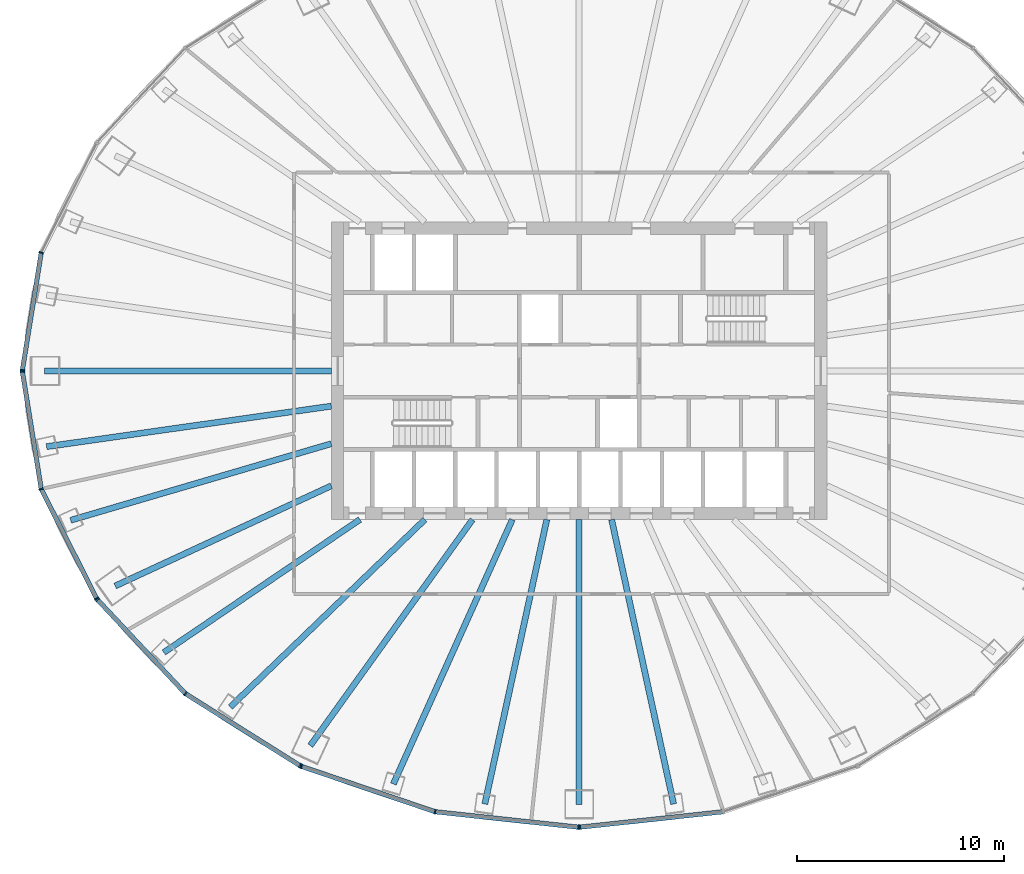
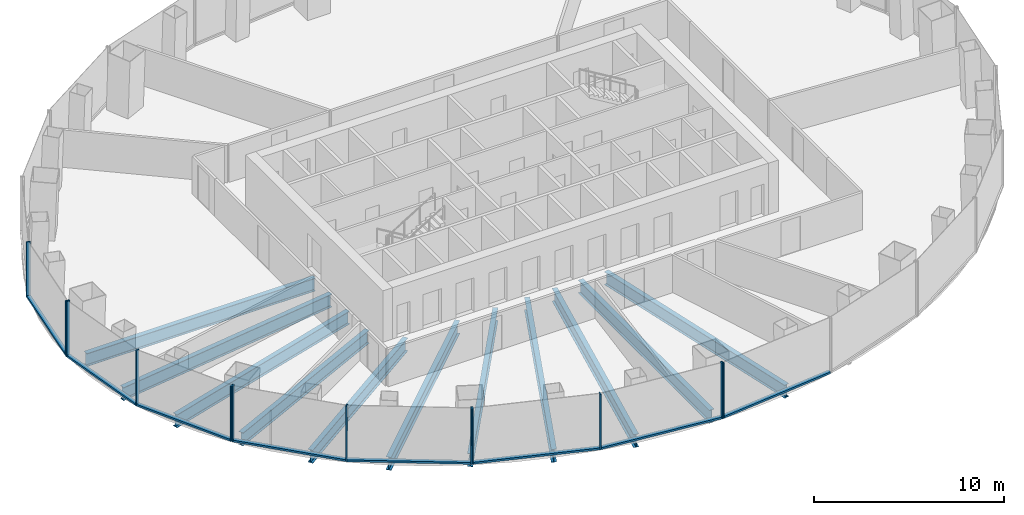
# One storey, part 2 of 11: 20 members, 11 beams, 5 elements without a shape of their own.
"""IFC4 building model written with IfcOpenShell, lengths in metres."""

from ifc_helpers import new_model, si_unit, direction, frame, origin, origin_2d, place, context, subcontext, project, spatial, rectangle, i_section, extrude, material, layer, layer_set, material_profile, profile_set, type_object, element, aggregate, save


model = new_model("IFC4")

# Units and contexts
model_context = context("Model", 3, precision=1e-05, world=origin(), true_north=direction((0.0, 1.0)))
body_context = subcontext(model_context, "Body", "Model", "MODEL_VIEW")
ifc_project = project(units=[si_unit("LENGTHUNIT", "METRE"), si_unit("AREAUNIT", "SQUARE_METRE"), si_unit("VOLUMEUNIT", "CUBIC_METRE"), si_unit("PLANEANGLEUNIT", "RADIAN"), si_unit("MASSUNIT", "GRAM", prefix="KILO")], contexts=[model_context])

# Site, building, storey
site_placement = place(None, origin())
site = spatial("IfcSite", under=ifc_project, at=site_placement, CompositionType="ELEMENT")
building_placement = place(site_placement, origin())
building = spatial("IfcBuilding", under=site, at=building_placement, Name="Siaravel Broadcast Tower", CompositionType="ELEMENT")
storey_placement = place(building_placement, frame((0.0, 0.0, 74.10009765625)))
storey = spatial("IfcBuildingStorey", under=building, at=storey_placement, Name="L17", CompositionType="ELEMENT", Elevation=74.10009765625)

# Beams
ifc_material_1 = material(Name="Steel S355", Category="steel")
ifc_material_profile_1 = material_profile(ifc_material_1, i_section(OverallWidth=0.291748046875, OverallDepth=0.8349609375, WebThickness=0.013916015625, FlangeThickness=0.018798828125, FilletRadius=0.017822265625, at=origin_2d()))
ifc_profile_set_1 = profile_set([ifc_material_profile_1], Name="Steel S355")
beam_type = type_object("IfcBeamType", Name="BM-UB 838x292x176", PredefinedType="BEAM", material=ifc_profile_set_1)
beam_1_placement = place(storey_placement, frame((-25.877685546875, 0.0, -0.567626953125), z_axis=(1.0, 0.0, 0.0), x_axis=(0.0, 1.0, 0.0)))
element("IfcBeam", 1, at=beam_1_placement, inside=storey, type_object=beam_type, Name="Radial beam RB19", PredefinedType="BEAM", context=body_context, shape_type="SweptSolid", body=[
    extrude(i_section(OverallWidth=0.291748046875, OverallDepth=0.8349609375, WebThickness=0.013916015625, FlangeThickness=0.018798828125, FilletRadius=0.017822265625, at=origin_2d()), origin(), (0.0, 0.0, 1.0), 13.877685546875),
])
beam_2_placement = place(storey_placement, frame((-25.78564453125, -3.6689453125, -0.567626953125), z_axis=(0.990029287, 0.140861674, 0.0), x_axis=(-0.140861674, 0.990029287, 0.0)))
element("IfcBeam", 2, at=beam_2_placement, inside=storey, type_object=beam_type, Name="Radial beam RB20", PredefinedType="BEAM", context=body_context, shape_type="SweptSolid", body=[
    extrude(i_section(OverallWidth=0.291748046875, OverallDepth=0.8349609375, WebThickness=0.013916015625, FlangeThickness=0.018798828125, FilletRadius=0.017822265625, at=origin_2d()), origin(), (0.0, 0.0, 1.0), 13.924560546875),
])
beam_3_placement = place(storey_placement, frame((-24.61962890625, -7.23291015625, -0.567626953125), z_axis=(0.959450581, 0.281876892, 0.0), x_axis=(-0.281876892, 0.959450581, 0.0)))
element("IfcBeam", 3, at=beam_3_placement, inside=storey, type_object=beam_type, Name="Radial beam RB21", PredefinedType="BEAM", context=body_context, shape_type="SweptSolid", body=[
    extrude(i_section(OverallWidth=0.291748046875, OverallDepth=0.8349609375, WebThickness=0.013916015625, FlangeThickness=0.018798828125, FilletRadius=0.017822265625, at=origin_2d()), origin(), (0.0, 0.0, 1.0), 13.153076171875),
])
beam_4_placement = place(storey_placement, frame((-22.464111328125, -10.4150390625, -0.567626953125), z_axis=(0.907241267, 0.420610607, 0.0), x_axis=(-0.420610607, 0.907241267, 0.0)))
element("IfcBeam", 4, at=beam_4_placement, inside=storey, type_object=beam_type, Name="Radial beam RB22", PredefinedType="BEAM", context=body_context, shape_type="SweptSolid", body=[
    extrude(i_section(OverallWidth=0.291748046875, OverallDepth=0.8349609375, WebThickness=0.013916015625, FlangeThickness=0.018798828125, FilletRadius=0.017822265625, at=origin_2d()), origin(), (0.0, 0.0, 1.0), 11.533935546875),
])
beam_5_placement = place(storey_placement, frame((-20.107177734375, -13.631591796875, -0.567626953125), z_axis=(0.82771923, 0.561142474, 0.0), x_axis=(-0.561142474, 0.82771923, 0.0)))
element("IfcBeam", 5, at=beam_5_placement, inside=storey, type_object=beam_type, Name="Radial beam RB23", PredefinedType="BEAM", context=body_context, shape_type="SweptSolid", body=[
    extrude(i_section(OverallWidth=0.291748046875, OverallDepth=0.8349609375, WebThickness=0.013916015625, FlangeThickness=0.018798828125, FilletRadius=0.017822265625, at=origin_2d()), origin(), (0.0, 0.0, 1.0), 11.461669921875),
])
beam_6_placement = place(storey_placement, frame((-16.8876953125, -16.2685546875, -0.567626953125), z_axis=(0.720179523, 0.693787759, 0.0), x_axis=(-0.693787759, 0.720179523, 0.0)))
element("IfcBeam", 6, at=beam_6_placement, inside=storey, type_object=beam_type, Name="Radial beam RB24", PredefinedType="BEAM", context=body_context, shape_type="SweptSolid", body=[
    extrude(i_section(OverallWidth=0.291748046875, OverallDepth=0.8349609375, WebThickness=0.013916015625, FlangeThickness=0.018798828125, FilletRadius=0.017822265625, at=origin_2d()), origin(), (0.0, 0.0, 1.0), 13.071044921875),
])
beam_7_placement = place(storey_placement, frame((-13.0185546875, -18.142822265625, -0.567626953125), z_axis=(0.582992686, 0.812477401, 0.0), x_axis=(-0.812477401, 0.582992686, 0.0)))
element("IfcBeam", 7, at=beam_7_placement, inside=storey, type_object=beam_type, Name="Radial beam RB25", PredefinedType="BEAM", context=body_context, shape_type="SweptSolid", body=[
    extrude(i_section(OverallWidth=0.291748046875, OverallDepth=0.8349609375, WebThickness=0.013916015625, FlangeThickness=0.018798828125, FilletRadius=0.017822265625, at=origin_2d()), origin(), (0.0, 0.0, 1.0), 13.468505859375),
])
beam_8_placement = place(storey_placement, frame((-8.998291015625, -19.998291015625, -0.567626953125), z_axis=(0.410337191, 0.911933874, 0.0), x_axis=(-0.911933874, 0.410337191, 0.0)))
element("IfcBeam", 8, at=beam_8_placement, inside=storey, type_object=beam_type, Name="Radial beam RB26", PredefinedType="BEAM", context=body_context, shape_type="SweptSolid", body=[
    extrude(i_section(OverallWidth=0.291748046875, OverallDepth=0.8349609375, WebThickness=0.013916015625, FlangeThickness=0.018798828125, FilletRadius=0.017822265625, at=origin_2d()), origin(), (0.0, 0.0, 1.0), 14.0341796875),
])
beam_9_placement = place(storey_placement, frame((-4.5703125, -20.97021484375, -0.567626953125), z_axis=(0.212950302, 0.977063032, 0.0), x_axis=(-0.977063032, 0.212950302, 0.0)))
element("IfcBeam", 9, at=beam_9_placement, inside=storey, type_object=beam_type, Name="Radial beam RB27", PredefinedType="BEAM", context=body_context, shape_type="SweptSolid", body=[
    extrude(i_section(OverallWidth=0.291748046875, OverallDepth=0.8349609375, WebThickness=0.013916015625, FlangeThickness=0.018798828125, FilletRadius=0.017822265625, at=origin_2d()), origin(), (0.0, 0.0, 1.0), 14.093505859375),
])
beam_10_placement = place(storey_placement, frame((0.0, -20.997802734375, -0.567626953125), z_axis=(0.0, 1.0, 0.0), x_axis=(-1.0, 0.0, 0.0)))
element("IfcBeam", 10, at=beam_10_placement, inside=storey, type_object=beam_type, Name="Radial beam RB28", PredefinedType="BEAM", context=body_context, shape_type="SweptSolid", body=[
    extrude(i_section(OverallWidth=0.291748046875, OverallDepth=0.8349609375, WebThickness=0.013916015625, FlangeThickness=0.018798828125, FilletRadius=0.017822265625, at=origin_2d()), origin(), (0.0, 0.0, 1.0), 13.7978515625),
])
beam_11_placement = place(storey_placement, frame((4.5703125, -20.97021484375, -0.567626953125), z_axis=(-0.212950302, 0.977063032, 0.0), x_axis=(-0.977063032, -0.212950302, 0.0)))
element("IfcBeam", 11, at=beam_11_placement, inside=storey, type_object=beam_type, Name="Radial beam RB29", PredefinedType="BEAM", context=body_context, shape_type="SweptSolid", body=[
    extrude(i_section(OverallWidth=0.291748046875, OverallDepth=0.8349609375, WebThickness=0.013916015625, FlangeThickness=0.018798828125, FilletRadius=0.017822265625, at=origin_2d()), origin(), (0.0, 0.0, 1.0), 14.093505859375),
])

# Curtain wall, members
ifc_material_2 = material(Name="Aluminium 6063-T6", Category="aluminium")
ifc_layer = layer(ifc_material_2, 0.219970703125)
ifc_layer_set = layer_set([ifc_layer], Name="Aluminium 6063-T6")
curtain_wall_type = type_object("IfcCurtainWallType", Name="Unitised curtain wall, zone 1", PredefinedType="NOTDEFINED", material=ifc_layer_set)
curtain_wall_1_placement = place(storey_placement, origin())
curtain_wall_1 = element("IfcCurtainWall", 12, at=curtain_wall_1_placement, inside=storey, type_object=curtain_wall_type, Name="L17 Unitised curtain wall, zone 1 06", PredefinedType="NOTDEFINED")
ifc_material_profile_2 = material_profile(ifc_material_2, rectangle(XDim=0.219970703125, YDim=0.070068359375, at=origin_2d()))
ifc_profile_set_2 = profile_set([ifc_material_profile_2], Name="Aluminium 6063-T6")
member_type_1 = type_object("IfcMemberType", Name="CW-Z1 mullion", PredefinedType="MULLION", material=ifc_profile_set_2)
member_1_placement = place(storey_placement, frame((-26.044189453125, 5.72119140625, 0.0), z_axis=(0.0, 0.0, 1.0), x_axis=(0.951177254, -0.308645154, 0.0)))
member_1 = element("IfcMember", 13, at=member_1_placement, type_object=member_type_1, Name="CW-Z1 mullion 2", PredefinedType="MULLION", context=body_context, shape_type="SweptSolid", body=[
    extrude(rectangle(XDim=0.219970703125, YDim=0.070068359375, at=origin_2d()), origin(), (0.0, 0.0, 1.0), 3.5498046875),
])
member_2_placement = place(storey_placement, frame((-26.9580078125, 0.03466796875, 0.0), z_axis=(0.0, 0.0, 1.0), x_axis=(0.987329186, -0.158685468, 0.0)))
member_2 = element("IfcMember", 14, at=member_2_placement, type_object=member_type_1, Name="CW-Z1 mullion 3", PredefinedType="MULLION", context=body_context, shape_type="SweptSolid", body=[
    extrude(rectangle(XDim=0.219970703125, YDim=0.070068359375, at=origin_2d()), origin(), (0.0, 0.0, 1.0), 3.5498046875),
])

curtain_wall_2_placement = place(storey_placement, origin())
curtain_wall_2 = element("IfcCurtainWall", 15, at=curtain_wall_2_placement, inside=storey, type_object=curtain_wall_type, Name="L17 Unitised curtain wall, zone 1 07", PredefinedType="NOTDEFINED")
member_3_placement = place(storey_placement, frame((-26.9580078125, -0.03466796875, 0.0), z_axis=(0.0, 0.0, 1.0), x_axis=(0.987329186, 0.158685468, 0.0)))
member_3 = element("IfcMember", 16, at=member_3_placement, type_object=member_type_1, Name="CW-Z1 mullion 1", PredefinedType="MULLION", context=body_context, shape_type="SweptSolid", body=[
    extrude(rectangle(XDim=0.219970703125, YDim=0.070068359375, at=origin_2d()), origin(), (0.0, 0.0, 1.0), 3.5498046875),
])
member_4_placement = place(storey_placement, frame((-26.044189453125, -5.72119140625, 0.0), z_axis=(0.0, 0.0, 1.0), x_axis=(0.951177254, 0.308645154, 0.0)))
member_4 = element("IfcMember", 17, at=member_4_placement, type_object=member_type_1, Name="CW-Z1 mullion 2", PredefinedType="MULLION", context=body_context, shape_type="SweptSolid", body=[
    extrude(rectangle(XDim=0.219970703125, YDim=0.070068359375, at=origin_2d()), origin(), (0.0, 0.0, 1.0), 3.5498046875),
])
member_5_placement = place(storey_placement, frame((-23.364501953125, -11.020263671875, 0.0), z_axis=(0.0, 0.0, 1.0), x_axis=(0.892392184, 0.451260668, 0.0)))
member_5 = element("IfcMember", 18, at=member_5_placement, type_object=member_type_1, Name="CW-Z1 mullion 3", PredefinedType="MULLION", context=body_context, shape_type="SweptSolid", body=[
    extrude(rectangle(XDim=0.219970703125, YDim=0.070068359375, at=origin_2d()), origin(), (0.0, 0.0, 1.0), 3.5498046875),
])

curtain_wall_3_placement = place(storey_placement, origin())
curtain_wall_3 = element("IfcCurtainWall", 19, at=curtain_wall_3_placement, inside=storey, type_object=curtain_wall_type, Name="L17 Unitised curtain wall, zone 1 08", PredefinedType="NOTDEFINED")
member_6_placement = place(storey_placement, frame((-23.32470703125, -11.076904296875, 0.0), z_axis=(0.0, 0.0, 1.0), x_axis=(0.729805583, 0.683654746, 0.0)))
member_6 = element("IfcMember", 20, at=member_6_placement, type_object=member_type_1, Name="CW-Z1 mullion 1", PredefinedType="MULLION", context=body_context, shape_type="SweptSolid", body=[
    extrude(rectangle(XDim=0.219970703125, YDim=0.070068359375, at=origin_2d()), origin(), (0.0, 0.0, 1.0), 3.5498046875),
])
member_7_placement = place(storey_placement, frame((-19.0625, -15.627197265625, 0.0), z_axis=(0.0, 0.0, 1.0), x_axis=(0.63621907, 0.771508454, 0.0)))
member_7 = element("IfcMember", 21, at=member_7_placement, type_object=member_type_1, Name="CW-Z1 mullion 2", PredefinedType="MULLION", context=body_context, shape_type="SweptSolid", body=[
    extrude(rectangle(XDim=0.219970703125, YDim=0.070068359375, at=origin_2d()), origin(), (0.0, 0.0, 1.0), 3.5498046875),
])
member_8_placement = place(storey_placement, frame((-13.5078125, -19.118408203125, 0.0), z_axis=(0.0, 0.0, 1.0), x_axis=(0.532149761, 0.846650242, 0.0)))
member_8 = element("IfcMember", 22, at=member_8_placement, type_object=member_type_1, Name="CW-Z1 mullion 3", PredefinedType="MULLION", context=body_context, shape_type="SweptSolid", body=[
    extrude(rectangle(XDim=0.219970703125, YDim=0.070068359375, at=origin_2d()), origin(), (0.0, 0.0, 1.0), 3.5498046875),
])

curtain_wall_4_placement = place(storey_placement, origin())
curtain_wall_4 = element("IfcCurtainWall", 23, at=curtain_wall_4_placement, inside=storey, type_object=curtain_wall_type, Name="L17 Unitised curtain wall, zone 1 09", PredefinedType="NOTDEFINED")
member_9_placement = place(storey_placement, frame((-13.445068359375, -19.148193359375, 0.0), z_axis=(0.0, 0.0, 1.0), x_axis=(0.321301105, 0.946977085, 0.0)))
member_9 = element("IfcMember", 24, at=member_9_placement, type_object=member_type_1, Name="CW-Z1 mullion 1", PredefinedType="MULLION", context=body_context, shape_type="SweptSolid", body=[
    extrude(rectangle(XDim=0.219970703125, YDim=0.070068359375, at=origin_2d()), origin(), (0.0, 0.0, 1.0), 3.5498046875),
])
member_10_placement = place(storey_placement, frame((-6.9765625, -21.343017578125, 0.0), z_axis=(0.0, 0.0, 1.0), x_axis=(0.21555841, 0.976490948, 0.0)))
member_10 = element("IfcMember", 25, at=member_10_placement, type_object=member_type_1, Name="CW-Z1 mullion 2", PredefinedType="MULLION", context=body_context, shape_type="SweptSolid", body=[
    extrude(rectangle(XDim=0.219970703125, YDim=0.070068359375, at=origin_2d()), origin(), (0.0, 0.0, 1.0), 3.5498046875),
])
member_11_placement = place(storey_placement, frame((-0.034912109375, -22.091552734375, 0.0), z_axis=(0.0, 0.0, 1.0), x_axis=(0.107217679, 0.99423557, 0.0)))
member_11 = element("IfcMember", 26, at=member_11_placement, type_object=member_type_1, Name="CW-Z1 mullion 3", PredefinedType="MULLION", context=body_context, shape_type="SweptSolid", body=[
    extrude(rectangle(XDim=0.219970703125, YDim=0.070068359375, at=origin_2d()), origin(), (0.0, 0.0, 1.0), 3.5498046875),
])

# Curtain wall, member
curtain_wall_5_placement = place(storey_placement, origin())
curtain_wall_5 = element("IfcCurtainWall", 27, at=curtain_wall_5_placement, inside=storey, type_object=curtain_wall_type, Name="L17 Unitised curtain wall, zone 1 10", PredefinedType="NOTDEFINED")
member_12_placement = place(storey_placement, frame((0.034912109375, -22.091552734375, 0.0), z_axis=(0.0, 0.0, 1.0), x_axis=(-0.107217679, 0.99423557, 0.0)))
member_12 = element("IfcMember", 28, at=member_12_placement, type_object=member_type_1, Name="CW-Z1 mullion 1", PredefinedType="MULLION", context=body_context, shape_type="SweptSolid", body=[
    extrude(rectangle(XDim=0.219970703125, YDim=0.070068359375, at=origin_2d()), origin(), (0.0, 0.0, 1.0), 3.5498046875),
])

# Member
ifc_material_profile_3 = material_profile(ifc_material_2, rectangle(XDim=0.219970703125, YDim=0.1201171875, at=origin_2d()))
ifc_profile_set_3 = profile_set([ifc_material_profile_3], Name="Aluminium 6063-T6")
member_type_2 = type_object("IfcMemberType", Name="CW-Z1 transom", PredefinedType="USERDEFINED", material=ifc_profile_set_3)
member_13_placement = place(storey_placement, frame((-26.049560546875, 5.686767578125, 0.059814453125), z_axis=(-0.158676602, -0.987330611, 0.0), x_axis=(0.987330611, -0.158676602, 0.0)))
member_13 = element("IfcMember", 29, at=member_13_placement, type_object=member_type_2, Name="CW-Z1 transom 2", ObjectType="TRANSOM", PredefinedType="USERDEFINED", context=body_context, shape_type="SweptSolid", body=[
    extrude(rectangle(XDim=0.219970703125, YDim=0.1201171875, at=origin_2d()), origin(), (0.0, 0.0, 1.0), 5.689697265625),
])

aggregate(curtain_wall_1, [member_1, member_2, member_13])

member_14_placement = place(storey_placement, frame((-26.952392578125, -0.069091796875, 0.059814453125), z_axis=(0.158676602, -0.987330611, 0.0), x_axis=(0.987330611, 0.158676602, 0.0)))
member_14 = element("IfcMember", 30, at=member_14_placement, type_object=member_type_2, Name="CW-Z1 transom 1", ObjectType="TRANSOM", PredefinedType="USERDEFINED", context=body_context, shape_type="SweptSolid", body=[
    extrude(rectangle(XDim=0.219970703125, YDim=0.1201171875, at=origin_2d()), origin(), (0.0, 0.0, 1.0), 5.689697265625),
])

member_15_placement = place(storey_placement, frame((-26.0283203125, -5.75244140625, 0.059814453125), z_axis=(0.451253077, -0.892396022, 0.0), x_axis=(0.892396022, 0.451253077, 0.0)))
member_15 = element("IfcMember", 31, at=member_15_placement, type_object=member_type_2, Name="CW-Z1 transom 2", ObjectType="TRANSOM", PredefinedType="USERDEFINED", context=body_context, shape_type="SweptSolid", body=[
    extrude(rectangle(XDim=0.219970703125, YDim=0.1201171875, at=origin_2d()), origin(), (0.0, 0.0, 1.0), 5.867919921875),
])

aggregate(curtain_wall_2, [member_3, member_4, member_5, member_14, member_15])

member_16_placement = place(storey_placement, frame((-23.30078125, -11.1025390625, 0.059814453125), z_axis=(0.683640708, -0.729818733, 0.0), x_axis=(0.729818733, 0.683640708, 0.0)))
member_16 = element("IfcMember", 32, at=member_16_placement, type_object=member_type_2, Name="CW-Z1 transom 1", ObjectType="TRANSOM", PredefinedType="USERDEFINED", context=body_context, shape_type="SweptSolid", body=[
    extrude(rectangle(XDim=0.219970703125, YDim=0.1201171875, at=origin_2d()), origin(), (0.0, 0.0, 1.0), 6.16455078125),
])

member_17_placement = place(storey_placement, frame((-19.03271484375, -15.645751953125, 0.059814453125), z_axis=(0.846662211, -0.532130717, 0.0), x_axis=(0.532130717, 0.846662211, 0.0)))
member_17 = element("IfcMember", 33, at=member_17_placement, type_object=member_type_2, Name="CW-Z1 transom 2", ObjectType="TRANSOM", PredefinedType="USERDEFINED", context=body_context, shape_type="SweptSolid", body=[
    extrude(rectangle(XDim=0.219970703125, YDim=0.1201171875, at=origin_2d()), origin(), (0.0, 0.0, 1.0), 6.49072265625),
])

aggregate(curtain_wall_3, [member_6, member_7, member_8, member_16, member_17])

member_18_placement = place(storey_placement, frame((-13.411865234375, -19.159423828125, 0.059814453125), z_axis=(0.946972422, -0.321314849, 0.0), x_axis=(0.321314849, 0.946972422, 0.0)))
member_18 = element("IfcMember", 34, at=member_18_placement, type_object=member_type_2, Name="CW-Z1 transom 1", ObjectType="TRANSOM", PredefinedType="USERDEFINED", context=body_context, shape_type="SweptSolid", body=[
    extrude(rectangle(XDim=0.219970703125, YDim=0.1201171875, at=origin_2d()), origin(), (0.0, 0.0, 1.0), 6.7607421875),
])

member_19_placement = place(storey_placement, frame((-6.941650390625, -21.3466796875, 0.059814453125), z_axis=(0.99423354, -0.107236501, 0.0), x_axis=(0.107236501, 0.99423354, 0.0)))
member_19 = element("IfcMember", 35, at=member_19_placement, type_object=member_type_2, Name="CW-Z1 transom 2", ObjectType="TRANSOM", PredefinedType="USERDEFINED", context=body_context, shape_type="SweptSolid", body=[
    extrude(rectangle(XDim=0.219970703125, YDim=0.1201171875, at=origin_2d()), origin(), (0.0, 0.0, 1.0), 6.911865234375),
])

aggregate(curtain_wall_4, [member_9, member_10, member_11, member_18, member_19])

member_20_placement = place(storey_placement, frame((0.069580078125, -22.087890625, 0.059814453125), z_axis=(0.99423354, 0.107236501, 0.0), x_axis=(-0.107236501, 0.99423354, 0.0)))
member_20 = element("IfcMember", 36, at=member_20_placement, type_object=member_type_2, Name="CW-Z1 transom 1", ObjectType="TRANSOM", PredefinedType="USERDEFINED", context=body_context, shape_type="SweptSolid", body=[
    extrude(rectangle(XDim=0.219970703125, YDim=0.1201171875, at=origin_2d()), origin(), (0.0, 0.0, 1.0), 6.911865234375),
])

aggregate(curtain_wall_5, [member_12, member_20])

save(model, "model.ifc")
